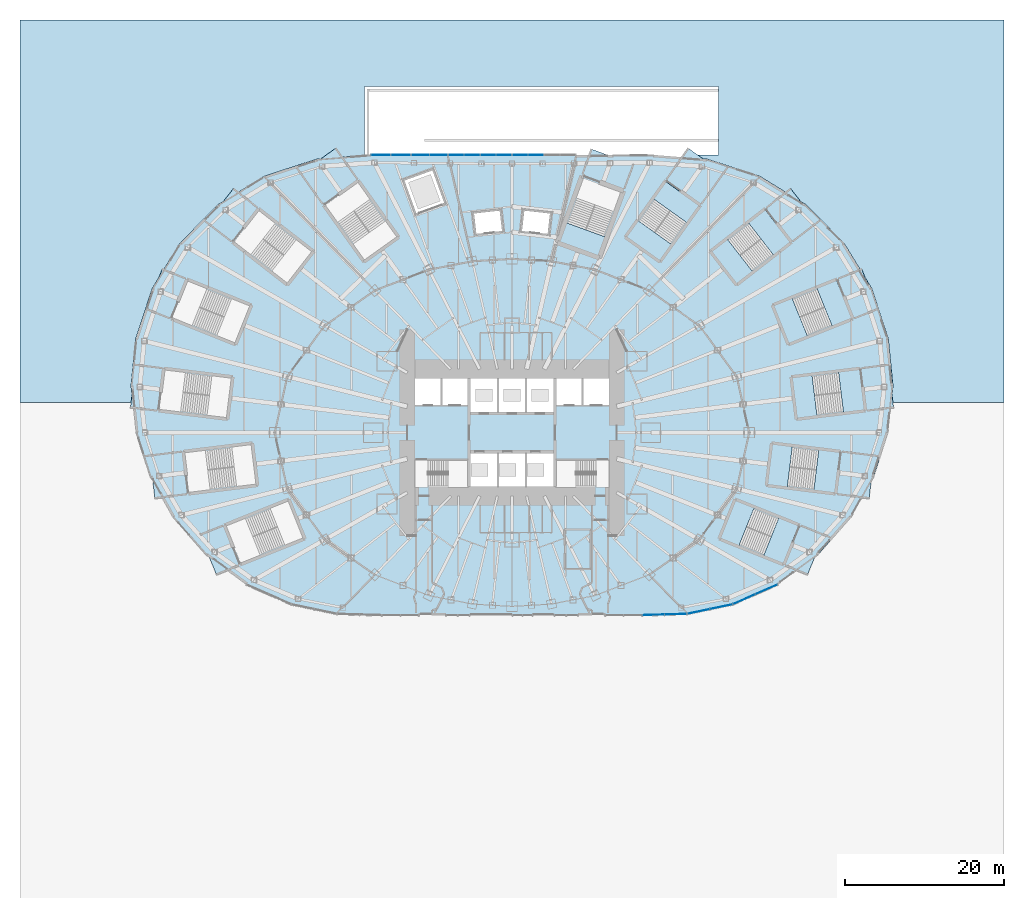
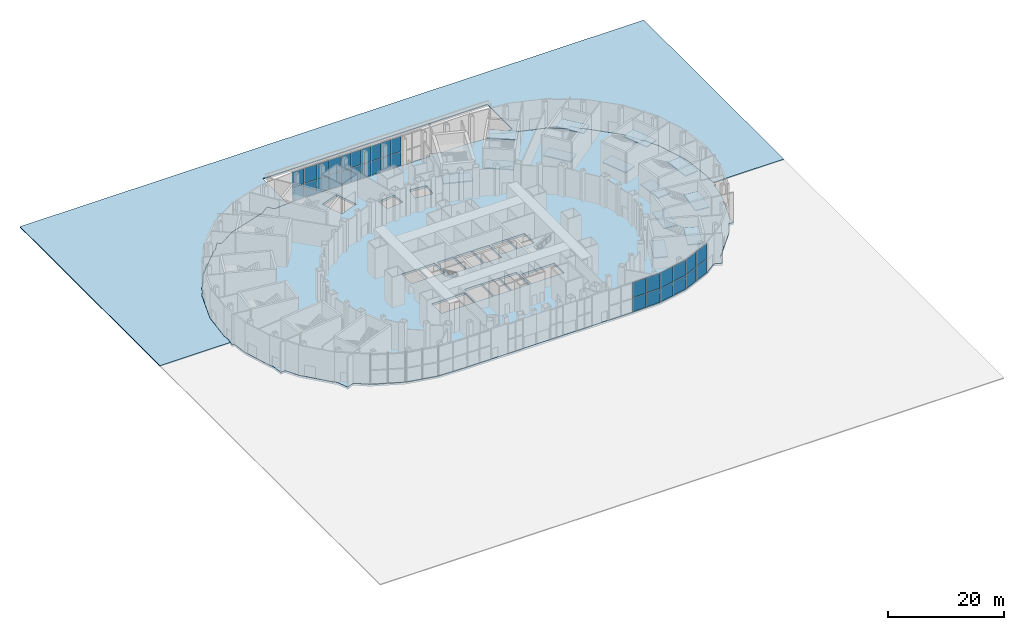
# One storey, part 15 of 47: 32 plates, 15 slabs, 15 elements without a shape of their own.
"""IFC4 building model written with IfcOpenShell, lengths in metres."""

from ifc_helpers import new_model, si_unit, direction, frame, origin, origin_2d, place, context, subcontext, project, spatial, polyline, rectangle, outline, extrude, material, layer, layer_set, type_object, element, aggregate, save


model = new_model("IFC4")

# Units and contexts
model_context = context("Model", 3, precision=1e-05, world=origin(), true_north=direction((0.0, 1.0)))
body_context = subcontext(model_context, "Body", "Model", "MODEL_VIEW")
ifc_project = project(units=[si_unit("LENGTHUNIT", "METRE"), si_unit("AREAUNIT", "SQUARE_METRE"), si_unit("VOLUMEUNIT", "CUBIC_METRE"), si_unit("PLANEANGLEUNIT", "RADIAN"), si_unit("MASSUNIT", "GRAM", prefix="KILO")], contexts=[model_context])

# Site, building, storey
site_placement = place(None, origin())
site = spatial("IfcSite", under=ifc_project, at=site_placement, CompositionType="ELEMENT")
building_placement = place(site_placement, origin())
building = spatial("IfcBuilding", under=site, at=building_placement, Name="Lantaw Convention Tower", CompositionType="ELEMENT")
storey_placement = place(building_placement, origin())
storey = spatial("IfcBuildingStorey", under=building, at=storey_placement, Name="L00", CompositionType="ELEMENT", Elevation=0.0)

# Curtain wall, plates
ifc_material_1 = material(Name="Aluminium framed curtain wall", Category="aluminium")
curtain_wall_type = type_object("IfcCurtainWallType", Name="Podium storefront curtain wall, pale aluminium", PredefinedType="USERDEFINED", material=ifc_material_1)
curtain_wall_1_placement = place(storey_placement, origin())
curtain_wall_1 = element("IfcCurtainWall", 1, at=curtain_wall_1_placement, inside=storey, type_object=curtain_wall_type, Name="Podium storefront curtain wall, pale aluminium L00", ObjectType="STOREFRONT", PredefinedType="USERDEFINED")
ifc_material_2 = material(Name="Laminated clear glass", Category="glass")
ifc_layer_1 = layer(ifc_material_2, 0.031982421875)
ifc_layer_set_1 = layer_set([ifc_layer_1], Name="CW-P panel 32")
plate_type = type_object("IfcPlateType", Name="CW-P panel 32", PredefinedType="CURTAIN_PANEL", material=ifc_layer_set_1)
plate_1_placement = place(storey_placement, frame((2.970703125, 35.0, 0.080078125), z_axis=(0.0, 0.0, 1.0), x_axis=(-1.0, 0.0, 0.0)))
plate_1 = element("IfcPlate", 2, at=plate_1_placement, type_object=plate_type, Name="CW-P panel 1.1", PredefinedType="CURTAIN_PANEL", context=body_context, shape_type="SweptSolid", body=[
    extrude(rectangle(XDim=1.873779296875, YDim=0.031982421875, at=origin_2d()), origin(), (0.0, 0.0, 1.0), 2.8798828125),
])
plate_2_placement = place(storey_placement, frame((2.970703125, 35.0, 3.0400390625), z_axis=(0.0, 0.0, 1.0), x_axis=(-1.0, 0.0, 0.0)))
plate_2 = element("IfcPlate", 3, at=plate_2_placement, type_object=plate_type, Name="CW-P panel 1.2", PredefinedType="CURTAIN_PANEL", context=body_context, shape_type="SweptSolid", body=[
    extrude(rectangle(XDim=1.873779296875, YDim=0.031982421875, at=origin_2d()), origin(), (0.0, 0.0, 1.0), 3.179931640625),
])
plate_3_placement = place(storey_placement, frame((1.016845703125, 35.0, 0.080078125), z_axis=(0.0, 0.0, 1.0), x_axis=(-1.0, 0.0, 0.0)))
plate_3 = element("IfcPlate", 4, at=plate_3_placement, type_object=plate_type, Name="CW-P panel 2.1", PredefinedType="CURTAIN_PANEL", context=body_context, shape_type="SweptSolid", body=[
    extrude(rectangle(XDim=1.873779296875, YDim=0.031982421875, at=origin_2d()), origin(), (0.0, 0.0, 1.0), 2.8798828125),
])
plate_4_placement = place(storey_placement, frame((1.016845703125, 35.0, 3.0400390625), z_axis=(0.0, 0.0, 1.0), x_axis=(-1.0, 0.0, 0.0)))
plate_4 = element("IfcPlate", 5, at=plate_4_placement, type_object=plate_type, Name="CW-P panel 2.2", PredefinedType="CURTAIN_PANEL", context=body_context, shape_type="SweptSolid", body=[
    extrude(rectangle(XDim=1.873779296875, YDim=0.031982421875, at=origin_2d()), origin(), (0.0, 0.0, 1.0), 3.179931640625),
])
aggregate(curtain_wall_1, [plate_1, plate_2, plate_3, plate_4])

curtain_wall_2_placement = place(storey_placement, origin())
curtain_wall_2 = element("IfcCurtainWall", 6, at=curtain_wall_2_placement, inside=storey, type_object=curtain_wall_type, Name="Podium storefront curtain wall, pale aluminium L00", ObjectType="STOREFRONT", PredefinedType="USERDEFINED")
plate_5_placement = place(storey_placement, frame((-1.016845703125, 35.0, 0.080078125), z_axis=(0.0, 0.0, 1.0), x_axis=(-1.0, 0.0, 0.0)))
plate_5 = element("IfcPlate", 7, at=plate_5_placement, type_object=plate_type, Name="CW-P panel 1.1", PredefinedType="CURTAIN_PANEL", context=body_context, shape_type="SweptSolid", body=[
    extrude(rectangle(XDim=1.873779296875, YDim=0.031982421875, at=origin_2d()), origin(), (0.0, 0.0, 1.0), 2.8798828125),
])
plate_6_placement = place(storey_placement, frame((-1.016845703125, 35.0, 3.0400390625), z_axis=(0.0, 0.0, 1.0), x_axis=(-1.0, 0.0, 0.0)))
plate_6 = element("IfcPlate", 8, at=plate_6_placement, type_object=plate_type, Name="CW-P panel 1.2", PredefinedType="CURTAIN_PANEL", context=body_context, shape_type="SweptSolid", body=[
    extrude(rectangle(XDim=1.873779296875, YDim=0.031982421875, at=origin_2d()), origin(), (0.0, 0.0, 1.0), 3.179931640625),
])
plate_7_placement = place(storey_placement, frame((-2.970703125, 35.0, 0.080078125), z_axis=(0.0, 0.0, 1.0), x_axis=(-1.0, 0.0, 0.0)))
plate_7 = element("IfcPlate", 9, at=plate_7_placement, type_object=plate_type, Name="CW-P panel 2.1", PredefinedType="CURTAIN_PANEL", context=body_context, shape_type="SweptSolid", body=[
    extrude(rectangle(XDim=1.873779296875, YDim=0.031982421875, at=origin_2d()), origin(), (0.0, 0.0, 1.0), 2.8798828125),
])
plate_8_placement = place(storey_placement, frame((-2.970703125, 35.0, 3.0400390625), z_axis=(0.0, 0.0, 1.0), x_axis=(-1.0, 0.0, 0.0)))
plate_8 = element("IfcPlate", 10, at=plate_8_placement, type_object=plate_type, Name="CW-P panel 2.2", PredefinedType="CURTAIN_PANEL", context=body_context, shape_type="SweptSolid", body=[
    extrude(rectangle(XDim=1.873779296875, YDim=0.031982421875, at=origin_2d()), origin(), (0.0, 0.0, 1.0), 3.179931640625),
])
aggregate(curtain_wall_2, [plate_5, plate_6, plate_7, plate_8])

curtain_wall_3_placement = place(storey_placement, origin())
curtain_wall_3 = element("IfcCurtainWall", 11, at=curtain_wall_3_placement, inside=storey, type_object=curtain_wall_type, Name="Podium storefront curtain wall, pale aluminium L00", ObjectType="STOREFRONT", PredefinedType="USERDEFINED")
plate_9_placement = place(storey_placement, frame((-5.031005859375, 35.0, 0.080078125), z_axis=(0.0, 0.0, 1.0), x_axis=(-1.0, 0.0, 0.0)))
plate_9 = element("IfcPlate", 12, at=plate_9_placement, type_object=plate_type, Name="CW-P panel 1.1", PredefinedType="CURTAIN_PANEL", context=body_context, shape_type="SweptSolid", body=[
    extrude(rectangle(XDim=1.92626953125, YDim=0.031982421875, at=origin_2d()), origin(), (0.0, 0.0, 1.0), 2.8798828125),
])
plate_10_placement = place(storey_placement, frame((-5.031005859375, 35.0, 3.0400390625), z_axis=(0.0, 0.0, 1.0), x_axis=(-1.0, 0.0, 0.0)))
plate_10 = element("IfcPlate", 13, at=plate_10_placement, type_object=plate_type, Name="CW-P panel 1.2", PredefinedType="CURTAIN_PANEL", context=body_context, shape_type="SweptSolid", body=[
    extrude(rectangle(XDim=1.92626953125, YDim=0.031982421875, at=origin_2d()), origin(), (0.0, 0.0, 1.0), 3.179931640625),
])
plate_11_placement = place(storey_placement, frame((-7.037109375, 35.0, 0.080078125), z_axis=(0.0, 0.0, 1.0), x_axis=(-1.0, 0.0, 0.0)))
plate_11 = element("IfcPlate", 14, at=plate_11_placement, type_object=plate_type, Name="CW-P panel 2.1", PredefinedType="CURTAIN_PANEL", context=body_context, shape_type="SweptSolid", body=[
    extrude(rectangle(XDim=1.92626953125, YDim=0.031982421875, at=origin_2d()), origin(), (0.0, 0.0, 1.0), 2.8798828125),
])
plate_12_placement = place(storey_placement, frame((-7.037109375, 35.0, 3.0400390625), z_axis=(0.0, 0.0, 1.0), x_axis=(-1.0, 0.0, 0.0)))
plate_12 = element("IfcPlate", 15, at=plate_12_placement, type_object=plate_type, Name="CW-P panel 2.2", PredefinedType="CURTAIN_PANEL", context=body_context, shape_type="SweptSolid", body=[
    extrude(rectangle(XDim=1.92626953125, YDim=0.031982421875, at=origin_2d()), origin(), (0.0, 0.0, 1.0), 3.179931640625),
])
aggregate(curtain_wall_3, [plate_9, plate_10, plate_11, plate_12])

curtain_wall_4_placement = place(storey_placement, origin())
curtain_wall_4 = element("IfcCurtainWall", 16, at=curtain_wall_4_placement, inside=storey, type_object=curtain_wall_type, Name="Podium storefront curtain wall, pale aluminium L00", ObjectType="STOREFRONT", PredefinedType="USERDEFINED")
plate_13_placement = place(storey_placement, frame((-9.26513671875, 35.0, 0.080078125), z_axis=(0.0, 0.0, 1.0), x_axis=(-1.0, 0.0, 0.0)))
plate_13 = element("IfcPlate", 17, at=plate_13_placement, type_object=plate_type, Name="CW-P panel 1.1", PredefinedType="CURTAIN_PANEL", context=body_context, shape_type="SweptSolid", body=[
    extrude(rectangle(XDim=2.209228515625, YDim=0.031982421875, at=origin_2d()), origin(), (0.0, 0.0, 1.0), 2.8798828125),
])
plate_14_placement = place(storey_placement, frame((-9.26513671875, 35.0, 3.0400390625), z_axis=(0.0, 0.0, 1.0), x_axis=(-1.0, 0.0, 0.0)))
plate_14 = element("IfcPlate", 18, at=plate_14_placement, type_object=plate_type, Name="CW-P panel 1.2", PredefinedType="CURTAIN_PANEL", context=body_context, shape_type="SweptSolid", body=[
    extrude(rectangle(XDim=2.209228515625, YDim=0.031982421875, at=origin_2d()), origin(), (0.0, 0.0, 1.0), 3.179931640625),
])
plate_15_placement = place(storey_placement, frame((-11.55419921875, 35.0, 0.080078125), z_axis=(0.0, 0.0, 1.0), x_axis=(-1.0, 0.0, 0.0)))
plate_15 = element("IfcPlate", 19, at=plate_15_placement, type_object=plate_type, Name="CW-P panel 2.1", PredefinedType="CURTAIN_PANEL", context=body_context, shape_type="SweptSolid", body=[
    extrude(rectangle(XDim=2.209228515625, YDim=0.031982421875, at=origin_2d()), origin(), (0.0, 0.0, 1.0), 2.8798828125),
])
plate_16_placement = place(storey_placement, frame((-11.55419921875, 35.0, 3.0400390625), z_axis=(0.0, 0.0, 1.0), x_axis=(-1.0, 0.0, 0.0)))
plate_16 = element("IfcPlate", 20, at=plate_16_placement, type_object=plate_type, Name="CW-P panel 2.2", PredefinedType="CURTAIN_PANEL", context=body_context, shape_type="SweptSolid", body=[
    extrude(rectangle(XDim=2.209228515625, YDim=0.031982421875, at=origin_2d()), origin(), (0.0, 0.0, 1.0), 3.179931640625),
])
aggregate(curtain_wall_4, [plate_13, plate_14, plate_15, plate_16])

curtain_wall_5_placement = place(storey_placement, origin())
curtain_wall_5 = element("IfcCurtainWall", 21, at=curtain_wall_5_placement, inside=storey, type_object=curtain_wall_type, Name="Podium storefront curtain wall, pale aluminium L00", ObjectType="STOREFRONT", PredefinedType="USERDEFINED")
plate_17_placement = place(storey_placement, frame((-14.032470703125, 35.0, 0.080078125), z_axis=(0.0, 0.0, 1.0), x_axis=(-1.0, 0.0, 0.0)))
plate_17 = element("IfcPlate", 22, at=plate_17_placement, type_object=plate_type, Name="CW-P panel 1.1", PredefinedType="CURTAIN_PANEL", context=body_context, shape_type="SweptSolid", body=[
    extrude(rectangle(XDim=2.42724609375, YDim=0.031982421875, at=origin_2d()), origin(), (0.0, 0.0, 1.0), 2.8798828125),
])
plate_18_placement = place(storey_placement, frame((-14.032470703125, 35.0, 3.0400390625), z_axis=(0.0, 0.0, 1.0), x_axis=(-1.0, 0.0, 0.0)))
plate_18 = element("IfcPlate", 23, at=plate_18_placement, type_object=plate_type, Name="CW-P panel 1.2", PredefinedType="CURTAIN_PANEL", context=body_context, shape_type="SweptSolid", body=[
    extrude(rectangle(XDim=2.42724609375, YDim=0.031982421875, at=origin_2d()), origin(), (0.0, 0.0, 1.0), 3.179931640625),
])
plate_19_placement = place(storey_placement, frame((-16.539794921875, 35.0, 0.080078125), z_axis=(0.0, 0.0, 1.0), x_axis=(-1.0, 0.0, 0.0)))
plate_19 = element("IfcPlate", 24, at=plate_19_placement, type_object=plate_type, Name="CW-P panel 2.1", PredefinedType="CURTAIN_PANEL", context=body_context, shape_type="SweptSolid", body=[
    extrude(rectangle(XDim=2.42724609375, YDim=0.031982421875, at=origin_2d()), origin(), (0.0, 0.0, 1.0), 2.8798828125),
])
plate_20_placement = place(storey_placement, frame((-16.539794921875, 35.0, 3.0400390625), z_axis=(0.0, 0.0, 1.0), x_axis=(-1.0, 0.0, 0.0)))
plate_20 = element("IfcPlate", 25, at=plate_20_placement, type_object=plate_type, Name="CW-P panel 2.2", PredefinedType="CURTAIN_PANEL", context=body_context, shape_type="SweptSolid", body=[
    extrude(rectangle(XDim=2.42724609375, YDim=0.031982421875, at=origin_2d()), origin(), (0.0, 0.0, 1.0), 3.179931640625),
])
aggregate(curtain_wall_5, [plate_17, plate_18, plate_19, plate_20])

curtain_wall_6_placement = place(storey_placement, origin())
curtain_wall_6 = element("IfcCurtainWall", 26, at=curtain_wall_6_placement, inside=storey, type_object=curtain_wall_type, Name="Podium storefront curtain wall, pale aluminium L00", ObjectType="STOREFRONT", PredefinedType="USERDEFINED")
plate_21_placement = place(storey_placement, frame((17.838134765625, -22.958984375, 0.080078125), z_axis=(0.0, 0.0, 1.0), x_axis=(0.99959230263, 0.028552206976, 0.0)))
plate_21 = element("IfcPlate", 27, at=plate_21_placement, type_object=plate_type, Name="CW-P panel 1.1", PredefinedType="CURTAIN_PANEL", context=body_context, shape_type="SweptSolid", body=[
    extrude(rectangle(XDim=2.705810546875, YDim=0.031982421875, at=origin_2d()), origin(), (0.0, 0.0, 1.0), 2.8798828125),
])
plate_22_placement = place(storey_placement, frame((17.838134765625, -22.958984375, 3.0400390625), z_axis=(0.0, 0.0, 1.0), x_axis=(0.99959230263, 0.028552206976, 0.0)))
plate_22 = element("IfcPlate", 28, at=plate_22_placement, type_object=plate_type, Name="CW-P panel 1.2", PredefinedType="CURTAIN_PANEL", context=body_context, shape_type="SweptSolid", body=[
    extrude(rectangle(XDim=2.705810546875, YDim=0.031982421875, at=origin_2d()), origin(), (0.0, 0.0, 1.0), 3.179931640625),
])
plate_23_placement = place(storey_placement, frame((20.622802734375, -22.879638671875, 0.080078125), z_axis=(0.0, 0.0, 1.0), x_axis=(0.99959230263, 0.028552206976, 0.0)))
plate_23 = element("IfcPlate", 29, at=plate_23_placement, type_object=plate_type, Name="CW-P panel 2.1", PredefinedType="CURTAIN_PANEL", context=body_context, shape_type="SweptSolid", body=[
    extrude(rectangle(XDim=2.705810546875, YDim=0.031982421875, at=origin_2d()), origin(), (0.0, 0.0, 1.0), 2.8798828125),
])
plate_24_placement = place(storey_placement, frame((20.622802734375, -22.879638671875, 3.0400390625), z_axis=(0.0, 0.0, 1.0), x_axis=(0.99959230263, 0.028552206976, 0.0)))
plate_24 = element("IfcPlate", 30, at=plate_24_placement, type_object=plate_type, Name="CW-P panel 2.2", PredefinedType="CURTAIN_PANEL", context=body_context, shape_type="SweptSolid", body=[
    extrude(rectangle(XDim=2.705810546875, YDim=0.031982421875, at=origin_2d()), origin(), (0.0, 0.0, 1.0), 3.179931640625),
])
aggregate(curtain_wall_6, [plate_21, plate_22, plate_23, plate_24])

curtain_wall_7_placement = place(storey_placement, origin())
curtain_wall_7 = element("IfcCurtainWall", 31, at=curtain_wall_7_placement, inside=storey, type_object=curtain_wall_type, Name="Podium storefront curtain wall, pale aluminium L00", ObjectType="STOREFRONT", PredefinedType="USERDEFINED")
plate_25_placement = place(storey_placement, frame((23.513671875, -22.5322265625, 0.080078125), z_axis=(0.0, 0.0, 1.0), x_axis=(0.978625248801, 0.205651701693, 0.0)))
plate_25 = element("IfcPlate", 32, at=plate_25_placement, type_object=plate_type, Name="CW-P panel 1.1", PredefinedType="CURTAIN_PANEL", context=body_context, shape_type="SweptSolid", body=[
    extrude(rectangle(XDim=2.821044921875, YDim=0.031982421875, at=origin_2d()), origin(), (0.0, 0.0, 1.0), 2.8798828125),
])
plate_26_placement = place(storey_placement, frame((23.513671875, -22.5322265625, 3.0400390625), z_axis=(0.0, 0.0, 1.0), x_axis=(0.978625248801, 0.205651701693, 0.0)))
plate_26 = element("IfcPlate", 33, at=plate_26_placement, type_object=plate_type, Name="CW-P panel 1.2", PredefinedType="CURTAIN_PANEL", context=body_context, shape_type="SweptSolid", body=[
    extrude(rectangle(XDim=2.821044921875, YDim=0.031982421875, at=origin_2d()), origin(), (0.0, 0.0, 1.0), 3.179931640625),
])
plate_27_placement = place(storey_placement, frame((26.3525390625, -21.935546875, 0.080078125), z_axis=(0.0, 0.0, 1.0), x_axis=(0.978625248801, 0.205651701693, 0.0)))
plate_27 = element("IfcPlate", 34, at=plate_27_placement, type_object=plate_type, Name="CW-P panel 2.1", PredefinedType="CURTAIN_PANEL", context=body_context, shape_type="SweptSolid", body=[
    extrude(rectangle(XDim=2.821044921875, YDim=0.031982421875, at=origin_2d()), origin(), (0.0, 0.0, 1.0), 2.8798828125),
])
plate_28_placement = place(storey_placement, frame((26.3525390625, -21.935546875, 3.0400390625), z_axis=(0.0, 0.0, 1.0), x_axis=(0.978625248801, 0.205651701693, 0.0)))
plate_28 = element("IfcPlate", 35, at=plate_28_placement, type_object=plate_type, Name="CW-P panel 2.2", PredefinedType="CURTAIN_PANEL", context=body_context, shape_type="SweptSolid", body=[
    extrude(rectangle(XDim=2.821044921875, YDim=0.031982421875, at=origin_2d()), origin(), (0.0, 0.0, 1.0), 3.179931640625),
])
aggregate(curtain_wall_7, [plate_25, plate_26, plate_27, plate_28])

curtain_wall_8_placement = place(storey_placement, origin())
curtain_wall_8 = element("IfcCurtainWall", 36, at=curtain_wall_8_placement, inside=storey, type_object=curtain_wall_type, Name="Podium storefront curtain wall, pale aluminium L00", ObjectType="STOREFRONT", PredefinedType="USERDEFINED")
plate_29_placement = place(storey_placement, frame((29.24560546875, -20.995849609375, 0.080078125), z_axis=(0.0, 0.0, 1.0), x_axis=(0.914845705859, 0.403803584024, 0.0)))
plate_29 = element("IfcPlate", 37, at=plate_29_placement, type_object=plate_type, Name="CW-P panel 1.1", PredefinedType="CURTAIN_PANEL", context=body_context, shape_type="SweptSolid", body=[
    extrude(rectangle(XDim=2.975830078125, YDim=0.031982421875, at=origin_2d()), origin(), (0.0, 0.0, 1.0), 2.8798828125),
])
plate_30_placement = place(storey_placement, frame((29.24560546875, -20.995849609375, 3.0400390625), z_axis=(0.0, 0.0, 1.0), x_axis=(0.914845705859, 0.403803584024, 0.0)))
plate_30 = element("IfcPlate", 38, at=plate_30_placement, type_object=plate_type, Name="CW-P panel 1.2", PredefinedType="CURTAIN_PANEL", context=body_context, shape_type="SweptSolid", body=[
    extrude(rectangle(XDim=2.975830078125, YDim=0.031982421875, at=origin_2d()), origin(), (0.0, 0.0, 1.0), 3.179931640625),
])
plate_31_placement = place(storey_placement, frame((32.041259765625, -19.761962890625, 0.080078125), z_axis=(0.0, 0.0, 1.0), x_axis=(0.914845705859, 0.403803584024, 0.0)))
plate_31 = element("IfcPlate", 39, at=plate_31_placement, type_object=plate_type, Name="CW-P panel 2.1", PredefinedType="CURTAIN_PANEL", context=body_context, shape_type="SweptSolid", body=[
    extrude(rectangle(XDim=2.975830078125, YDim=0.031982421875, at=origin_2d()), origin(), (0.0, 0.0, 1.0), 2.8798828125),
])
plate_32_placement = place(storey_placement, frame((32.041259765625, -19.761962890625, 3.0400390625), z_axis=(0.0, 0.0, 1.0), x_axis=(0.914845705859, 0.403803584024, 0.0)))
plate_32 = element("IfcPlate", 40, at=plate_32_placement, type_object=plate_type, Name="CW-P panel 2.2", PredefinedType="CURTAIN_PANEL", context=body_context, shape_type="SweptSolid", body=[
    extrude(rectangle(XDim=2.975830078125, YDim=0.031982421875, at=origin_2d()), origin(), (0.0, 0.0, 1.0), 3.179931640625),
])
aggregate(curtain_wall_8, [plate_29, plate_30, plate_31, plate_32])

# Slabs
ifc_material_3 = material(Name="Concrete C35/45", Category="concrete")
ifc_layer_2 = layer(ifc_material_3, 0.449951171875)
ifc_layer_set_2 = layer_set([ifc_layer_2], Name="Floor slab 450")
slab_type_1 = type_object("IfcSlabType", Name="Floor slab 450", PredefinedType="FLOOR", material=ifc_layer_set_2)
slab_1_placement = place(storey_placement, frame((0.0, 0.0, -0.449951171875)))
element("IfcSlab", 41, at=slab_1_placement, inside=storey, type_object=slab_type_1, Name="L00 floor slab", PredefinedType="FLOOR", context=body_context, shape_type="SweptSolid", body=[
    extrude(outline(polyline([(45.580322265625, -5.5966796875), (47.37255859375, 0.0), (47.695556640625, 3.03515625), (48.093017578125, 3.083984375), (47.8828125, 4.794677734375), (47.999755859375, 5.8935546875), (47.409912109375, 11.820556640625), (45.313232421875, 18.190673828125), (44.53125, 19.4677734375), (44.0380859375, 20.69580078125), (43.830322265625, 20.6123046875), (41.819091796875, 23.896728515625), (36.97607421875, 28.756591796875), (36.368896484375, 29.1298828125), (35.059814453125, 30.8134765625), (34.42919921875, 30.322998046875), (31.2001953125, 32.308837890625), (24.578857421875, 34.458251953125), (24.09375, 34.497314453125), (22.154296875, 35.880859375), (21.325927734375, 34.719482421875), (17.83349609375, 35.0), (12.008056640625, 35.0), (9.928466796875, 35.7568359375), (9.65283203125, 35.0), (-17.83349609375, 35.0), (-21.325927734375, 34.719482421875), (-22.154296875, 35.880859375), (-24.09375, 34.497314453125), (-24.578857421875, 34.458251953125), (-31.2001953125, 32.308837890625), (-34.42919921875, 30.322998046875), (-35.059814453125, 30.8134765625), (-36.368896484375, 29.1298828125), (-36.97607421875, 28.756591796875), (-41.819091796875, 23.896728515625), (-43.830322265625, 20.6123046875), (-44.0380859375, 20.69580078125), (-44.53125, 19.4677734375), (-45.313232421875, 18.190673828125), (-47.409912109375, 11.820556640625), (-47.999755859375, 5.8935546875), (-47.8828125, 4.794677734375), (-48.093017578125, 3.083984375), (-47.695556640625, 3.03515625), (-47.37255859375, 0.0), (-45.580322265625, -5.5966796875), (-45.258056640625, -6.170654296875), (-44.990966796875, -8.34521484375), (-44.0986328125, -8.235595703125), (-42.73974609375, -10.65625), (-38.50732421875, -15.45849609375), (-38.12646484375, -15.736328125), (-37.232177734375, -17.963623046875), (-35.83935546875, -17.404541015625), (-33.4755859375, -19.12890625), (-27.811279296875, -21.62890625), (-22.054931640625, -22.838623046875), (-16.40576171875, -23.0), (16.40576171875, -23.0), (22.054931640625, -22.838623046875), (27.811279296875, -21.62890625), (33.4755859375, -19.12890625), (35.83935546875, -17.404541015625), (37.232421875, -17.963623046875), (38.12646484375, -15.736328125), (38.50732421875, -15.458251953125), (42.73974609375, -10.65625), (44.0986328125, -8.235595703125), (44.990966796875, -8.34521484375), (45.258056640625, -6.170654296875), (45.580322265625, -5.5966796875)]), holes=[polyline([(-5.60009765625, -3.5), (-12.199951171875, -3.5), (-12.199951171875, -6.800048828125), (-5.60009765625, -6.800048828125), (-5.60009765625, -3.5)]), polyline([(-1.86669921875, -6.800048828125), (-1.86669921875, -2.60009765625), (-5.199951171875, -2.60009765625), (-5.199951171875, -6.800048828125), (-1.86669921875, -6.800048828125)]), polyline([(-1.86669921875, 2.60009765625), (-1.86669921875, 6.800048828125), (-5.199951171875, 6.800048828125), (-5.199951171875, 2.60009765625), (-1.86669921875, 2.60009765625)]), polyline([(1.666748046875, 2.60009765625), (1.666748046875, 6.800048828125), (-1.666748046875, 6.800048828125), (-1.666748046875, 2.60009765625), (1.666748046875, 2.60009765625)]), polyline([(-9.0, 3.5), (-9.0, 6.800048828125), (-12.199951171875, 6.800048828125), (-12.199951171875, 3.5), (-9.0, 3.5)]), polyline([(-5.60009765625, 3.5), (-5.60009765625, 6.800048828125), (-8.800048828125, 6.800048828125), (-8.800048828125, 3.5), (-5.60009765625, 3.5)]), polyline([(-1.5302734375, 28.0068359375), (-4.80908203125, 27.63330078125), (-4.5146484375, 25.050048828125), (-1.236083984375, 25.423583984375), (-1.5302734375, 28.0068359375)]), polyline([(-10.01416015625, 33.0693359375), (-13.585205078125, 31.76953125), (-12.080322265625, 27.635009765625), (-8.50927734375, 28.9345703125), (-10.01416015625, 33.0693359375)]), polyline([(12.199951171875, -6.800048828125), (12.199951171875, -3.5), (5.60009765625, -3.5), (5.60009765625, -6.800048828125), (12.199951171875, -6.800048828125)]), polyline([(1.666748046875, -6.800048828125), (1.666748046875, -2.60009765625), (-1.666748046875, -2.60009765625), (-1.666748046875, -6.800048828125), (1.666748046875, -6.800048828125)]), polyline([(5.199951171875, -6.800048828125), (5.199951171875, -2.60009765625), (1.86669921875, -2.60009765625), (1.86669921875, -6.800048828125), (5.199951171875, -6.800048828125)]), polyline([(5.199951171875, 2.60009765625), (5.199951171875, 6.800048828125), (1.86669921875, 6.800048828125), (1.86669921875, 2.60009765625), (5.199951171875, 2.60009765625)]), polyline([(8.800048828125, 3.5), (8.800048828125, 6.800048828125), (5.60009765625, 6.800048828125), (5.60009765625, 3.5), (8.800048828125, 3.5)]), polyline([(12.199951171875, 3.5), (12.199951171875, 6.800048828125), (9.0, 6.800048828125), (9.0, 3.5), (12.199951171875, 3.5)]), polyline([(4.80908203125, 27.63330078125), (1.5302734375, 28.0068359375), (1.236083984375, 25.423583984375), (4.5146484375, 25.050048828125), (4.80908203125, 27.63330078125)])]), origin(), (0.0, 0.0, 1.0), 0.449951171875),
])
ifc_material_4 = material(Name="Granite setts on a concrete base", Category="masonry")
ifc_layer_3 = layer(ifc_material_4, 0.199951171875)
ifc_layer_set_3 = layer_set([ifc_layer_3], Name="Plaza paving 200")
slab_type_2 = type_object("IfcSlabType", Name="Plaza paving 200", PredefinedType="USERDEFINED", material=ifc_layer_set_3)
slab_2_placement = place(storey_placement, frame((0.0, 0.0, -0.199951171875)))
element("IfcSlab", 42, at=slab_2_placement, inside=storey, type_object=slab_type_2, Name="Plaza paving", ObjectType="PAVING", PredefinedType="USERDEFINED", context=body_context, shape_type="SweptSolid", body=[
    extrude(outline(polyline([(62.0, 3.79248046875), (62.0, 52.0), (-62.0, 52.0), (-62.0, 3.79248046875), (-48.01611328125, 3.79248046875), (-47.892822265625, 4.794921875), (-48.009765625, 5.8935546875), (-47.419677734375, 11.82275390625), (-45.322509765625, 18.19482421875), (-44.540283203125, 19.47216796875), (-44.0810546875, 20.615966796875), (-43.88720703125, 20.538330078125), (-41.826904296875, 23.90283203125), (-36.982177734375, 28.764404296875), (-36.375732421875, 29.137451171875), (-35.122802734375, 30.74853515625), (-34.51953125, 30.279052734375), (-31.20458984375, 32.31787109375), (-24.580810546875, 34.46826171875), (-24.097412109375, 34.507080078125), (-22.233154296875, 35.836669921875), (-21.437255859375, 34.720703125), (-17.958251953125, 35.0), (-18.60009765625, 35.0), (-18.60009765625, 43.60009765625), (26.050048828125, 43.60009765625), (26.050048828125, 35.0), (23.40625, 35.0), (24.097412109375, 34.507080078125), (24.580810546875, 34.46826171875), (31.20458984375, 32.31787109375), (34.51953125, 30.279052734375), (35.122802734375, 30.74853515625), (36.375732421875, 29.137451171875), (36.982177734375, 28.764404296875), (41.826904296875, 23.90283203125), (43.88720703125, 20.538330078125), (44.0810546875, 20.615966796875), (44.540283203125, 19.47216796875), (45.322509765625, 18.19482421875), (47.419677734375, 11.82275390625), (48.009765625, 5.8935546875), (47.892822265625, 4.794921875), (48.01611328125, 3.79248046875), (62.0, 3.79248046875)])), origin(), (0.0, 0.0, 1.0), 0.199951171875),
])

# Stair, slabs
stair_type = type_object("IfcStairType", Name="Exit stair 2400 riser 166.67 in 3 flights", PredefinedType="HALF_TURN_STAIR", material=ifc_material_3)
stair_1_placement = place(storey_placement, origin())
stair_1 = element("IfcStair", 43, at=stair_1_placement, inside=storey, type_object=stair_type, Name="Podium exit stair P1 L00", PredefinedType="HALF_TURN_STAIR")
ifc_layer_4 = layer(ifc_material_3, 0.199951171875)
ifc_layer_set_4 = layer_set([ifc_layer_4], Name="Stair landing 200")
slab_type_3 = type_object("IfcSlabType", Name="Stair landing 200", PredefinedType="LANDING", material=ifc_layer_set_4)
slab_3_placement = place(storey_placement, frame((0.0, 0.0, 1.966552734375)))
slab_3 = element("IfcSlab", 44, at=slab_3_placement, type_object=slab_type_3, Name="P1 landing 1", PredefinedType="LANDING", context=body_context, shape_type="SweptSolid", body=[
    extrude(outline(polyline([(35.92724609375, 1.81201171875), (38.4404296875, 2.12060546875), (37.8115234375, 7.241943359375), (35.29833984375, 6.93359375), (35.92724609375, 1.81201171875)])), origin(), (0.0, 0.0, 1.0), 0.2001953125),
])
slab_4_placement = place(storey_placement, frame((0.0, 0.0, 4.13330078125)))
slab_4 = element("IfcSlab", 45, at=slab_4_placement, type_object=slab_type_3, Name="P1 landing 2", PredefinedType="LANDING", context=body_context, shape_type="SweptSolid", body=[
    extrude(outline(polyline([(41.771484375, 2.529541015625), (44.42333984375, 2.855224609375), (43.794677734375, 7.9765625), (41.142578125, 7.651123046875), (41.771484375, 2.529541015625)])), origin(), (0.0, 0.0, 1.0), 0.199951171875),
])
aggregate(stair_1, [slab_3, slab_4])

stair_2_placement = place(storey_placement, origin())
stair_2 = element("IfcStair", 46, at=stair_2_placement, inside=storey, type_object=stair_type, Name="Podium exit stair P2 L00", PredefinedType="HALF_TURN_STAIR")
slab_5_placement = place(storey_placement, frame((0.0, 0.0, 1.966552734375)))
slab_5 = element("IfcSlab", 47, at=slab_5_placement, type_object=slab_type_3, Name="P2 landing 1", PredefinedType="LANDING", context=body_context, shape_type="SweptSolid", body=[
    extrude(outline(polyline([(34.87841796875, 11.221435546875), (37.228271484375, 12.164794921875), (35.305908203125, 16.953369140625), (32.9560546875, 16.010009765625), (34.87841796875, 11.221435546875)])), origin(), (0.0, 0.0, 1.0), 0.2001953125),
])
slab_6_placement = place(storey_placement, frame((0.0, 0.0, 4.13330078125)))
slab_6 = element("IfcSlab", 48, at=slab_6_placement, type_object=slab_type_3, Name="P2 landing 2", PredefinedType="LANDING", context=body_context, shape_type="SweptSolid", body=[
    extrude(outline(polyline([(40.342529296875, 13.4150390625), (42.822265625, 14.410400390625), (40.89990234375, 19.198974609375), (38.420166015625, 18.20361328125), (40.342529296875, 13.4150390625)])), origin(), (0.0, 0.0, 1.0), 0.199951171875),
])
aggregate(stair_2, [slab_5, slab_6])

stair_3_placement = place(storey_placement, origin())
stair_3 = element("IfcStair", 49, at=stair_3_placement, inside=storey, type_object=stair_type, Name="Podium exit stair P3 L00", PredefinedType="HALF_TURN_STAIR")
slab_7_placement = place(storey_placement, frame((0.0, 0.0, 1.966552734375)))
slab_7 = element("IfcSlab", 50, at=slab_7_placement, type_object=slab_type_3, Name="P3 landing 1", PredefinedType="LANDING", context=body_context, shape_type="SweptSolid", body=[
    extrude(outline(polyline([(28.313720703125, 18.75146484375), (30.3125, 20.305908203125), (27.144775390625, 24.379150390625), (25.14599609375, 22.82470703125), (28.313720703125, 18.75146484375)])), origin(), (0.0, 0.0, 1.0), 0.2001953125),
])
slab_8_placement = place(storey_placement, frame((0.0, 0.0, 4.13330078125)))
slab_8 = element("IfcSlab", 51, at=slab_8_placement, type_object=slab_type_3, Name="P3 landing 2", PredefinedType="LANDING", context=body_context, shape_type="SweptSolid", body=[
    extrude(outline(polyline([(32.961669921875, 22.3662109375), (35.07080078125, 24.006591796875), (31.903076171875, 28.07958984375), (29.7939453125, 26.439453125), (32.961669921875, 22.3662109375)])), origin(), (0.0, 0.0, 1.0), 0.199951171875),
])
aggregate(stair_3, [slab_7, slab_8])

stair_4_placement = place(storey_placement, origin())
stair_4 = element("IfcStair", 52, at=stair_4_placement, inside=storey, type_object=stair_type, Name="Podium exit stair P4 L00", PredefinedType="HALF_TURN_STAIR")
slab_9_placement = place(storey_placement, frame((0.0, 0.0, 1.966552734375)))
slab_9 = element("IfcSlab", 53, at=slab_9_placement, type_object=slab_type_3, Name="P4 landing 1", PredefinedType="LANDING", context=body_context, shape_type="SweptSolid", body=[
    extrude(outline(polyline([(18.619140625, 21.66015625), (20.089599609375, 23.721435546875), (15.888671875, 26.718017578125), (14.418212890625, 24.656494140625), (18.619140625, 21.66015625)])), origin(), (0.0, 0.0, 1.0), 0.2001953125),
])
slab_10_placement = place(storey_placement, frame((0.0, 0.0, 4.13330078125)))
slab_10 = element("IfcSlab", 54, at=slab_10_placement, type_object=slab_type_3, Name="P4 landing 2", PredefinedType="LANDING", context=body_context, shape_type="SweptSolid", body=[
    extrude(outline(polyline([(22.038330078125, 26.45361328125), (23.58984375, 28.62890625), (19.38916015625, 31.62548828125), (17.83740234375, 29.4501953125), (22.038330078125, 26.45361328125)])), origin(), (0.0, 0.0, 1.0), 0.199951171875),
])
aggregate(stair_4, [slab_9, slab_10])

# Stair, slab
stair_5_placement = place(storey_placement, origin())
stair_5 = element("IfcStair", 55, at=stair_5_placement, inside=storey, type_object=stair_type, Name="Podium exit stair P5 L00", PredefinedType="HALF_TURN_STAIR")
slab_11_placement = place(storey_placement, frame((0.0, 0.0, 1.966552734375)))
slab_11 = element("IfcSlab", 56, at=slab_11_placement, type_object=slab_type_3, Name="P5 landing 1", PredefinedType="LANDING", context=body_context, shape_type="SweptSolid", body=[
    extrude(outline(polyline([(10.86083984375, 22.296142578125), (11.726806640625, 24.675537109375), (6.8779296875, 26.4404296875), (6.011962890625, 24.06103515625), (10.86083984375, 22.296142578125)])), origin(), (0.0, 0.0, 1.0), 0.2001953125),
])
aggregate(stair_5, [slab_11])

# Stair, slabs
stair_6_placement = place(storey_placement, origin())
stair_6 = element("IfcStair", 57, at=stair_6_placement, inside=storey, type_object=stair_type, Name="Podium exit stair P12 L00", PredefinedType="HALF_TURN_STAIR")
slab_12_placement = place(storey_placement, frame((0.0, 0.0, 1.966552734375)))
slab_12 = element("IfcSlab", 58, at=slab_12_placement, type_object=slab_type_3, Name="P12 landing 1", PredefinedType="LANDING", context=body_context, shape_type="SweptSolid", body=[
    extrude(outline(polyline([(26.242919921875, -13.315185546875), (28.5927734375, -14.25830078125), (30.51513671875, -9.4697265625), (28.165283203125, -8.526611328125), (26.242919921875, -13.315185546875)])), origin(), (0.0, 0.0, 1.0), 0.2001953125),
])
slab_13_placement = place(storey_placement, frame((0.0, 0.0, 4.13330078125)))
slab_13 = element("IfcSlab", 59, at=slab_13_placement, type_object=slab_type_3, Name="P12 landing 2", PredefinedType="LANDING", context=body_context, shape_type="SweptSolid", body=[
    extrude(outline(polyline([(31.707275390625, -15.508544921875), (34.186767578125, -16.50390625), (36.109130859375, -11.715576171875), (33.62939453125, -10.719970703125), (31.707275390625, -15.508544921875)])), origin(), (0.0, 0.0, 1.0), 0.199951171875),
])
aggregate(stair_6, [slab_12, slab_13])

stair_7_placement = place(storey_placement, origin())
stair_7 = element("IfcStair", 60, at=stair_7_placement, inside=storey, type_object=stair_type, Name="Podium exit stair P13 L00", PredefinedType="HALF_TURN_STAIR")
slab_14_placement = place(storey_placement, frame((0.0, 0.0, 1.966552734375)))
slab_14 = element("IfcSlab", 61, at=slab_14_placement, type_object=slab_type_3, Name="P13 landing 1", PredefinedType="LANDING", context=body_context, shape_type="SweptSolid", body=[
    extrude(outline(polyline([(32.184326171875, -6.551025390625), (34.697265625, -6.859619140625), (35.326171875, -1.738037109375), (32.81298828125, -1.4296875), (32.184326171875, -6.551025390625)])), origin(), (0.0, 0.0, 1.0), 0.2001953125),
])
slab_15_placement = place(storey_placement, frame((0.0, 0.0, 4.13330078125)))
slab_15 = element("IfcSlab", 62, at=slab_15_placement, type_object=slab_type_3, Name="P13 landing 2", PredefinedType="LANDING", context=body_context, shape_type="SweptSolid", body=[
    extrude(outline(polyline([(38.0283203125, -7.2685546875), (40.680419921875, -7.59423828125), (41.309326171875, -2.47265625), (38.6572265625, -2.147216796875), (38.0283203125, -7.2685546875)])), origin(), (0.0, 0.0, 1.0), 0.199951171875),
])
aggregate(stair_7, [slab_14, slab_15])

save(model, "model.ifc")
